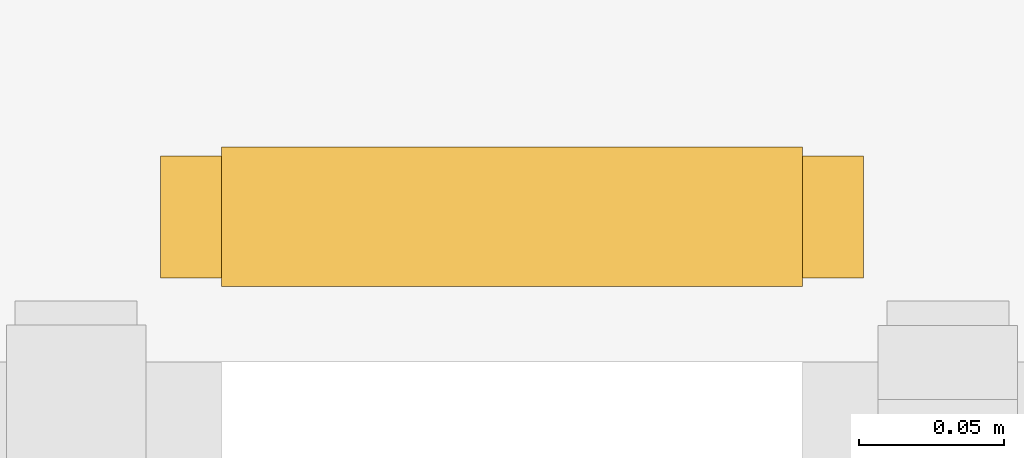
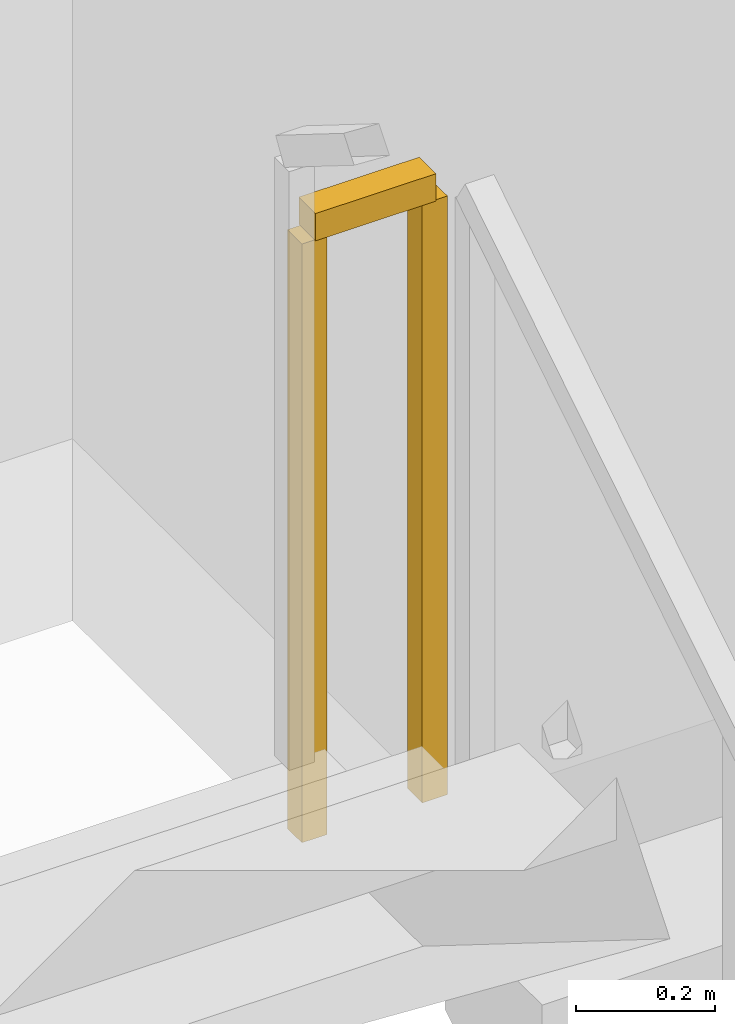
# One storey, part 22 of 22: 1 railing.
"""IFC4 building model written with IfcOpenShell, lengths in metres."""

from ifc_helpers import new_model, si_unit, direction, frame, origin, origin_2d, place, context, subcontext, project, spatial, rectangle, extrude, material, type_object, element, save


model = new_model("IFC4")

# Units and contexts
model_context = context("Model", 3, precision=1e-05, world=origin(), true_north=direction((0.0, 1.0)))
body_context = subcontext(model_context, "Body", "Model", "MODEL_VIEW")
ifc_project = project(units=[si_unit("LENGTHUNIT", "METRE"), si_unit("AREAUNIT", "SQUARE_METRE"), si_unit("VOLUMEUNIT", "CUBIC_METRE"), si_unit("PLANEANGLEUNIT", "RADIAN"), si_unit("MASSUNIT", "GRAM", prefix="KILO")], contexts=[model_context])

# Site, building, storey
site_placement = place(None, origin())
site = spatial("IfcSite", under=ifc_project, at=site_placement, CompositionType="ELEMENT")
building_placement = place(site_placement, origin())
building = spatial("IfcBuilding", under=site, at=building_placement, Name="Kiyonajd Concourse Tower", CompositionType="ELEMENT")
storey_placement = place(building_placement, frame((0.0, 0.0, 12.89990234375)))
storey = spatial("IfcBuildingStorey", under=building, at=storey_placement, Name="L04", CompositionType="ELEMENT", Elevation=12.89990234375)

# Railing
ifc_material = material(Name="Steel ASTM A500 Grade C", Category="steel")
railing_type = type_object("IfcRailingType", Name="RL-GRD-STR", PredefinedType="GUARDRAIL", material=ifc_material)
railing_placement = place(storey_placement, frame((84.89990234375, 32.780029296875, 2.10009765625)))
element("IfcRailing", 1, at=railing_placement, inside=storey, type_object=railing_type, Name="L04 ST5 stair guard 2", PredefinedType="GUARDRAIL", context=body_context, shape_type="SweptSolid", body=[
    extrude(rectangle(XDim=0.048095703125, YDim=0.048095703125, at=origin_2d()), frame((0.0, 0.0, 1.076171875), z_axis=(-1.0, 0.0, 0.0), x_axis=(0.0, -1.0, 0.0)), (0.0, 0.0, 1.0), 0.199951171875),
    extrude(rectangle(XDim=0.0419921875, YDim=0.0419921875, at=origin_2d()), origin(), (0.0, 0.0, 1.0), 1.052001953125),
    extrude(rectangle(XDim=0.0419921875, YDim=0.0419921875, at=origin_2d()), frame((-0.199951171875, 0.0, 0.0)), (0.0, 0.0, 1.0), 1.052001953125),
])

save(model, "model.ifc")
